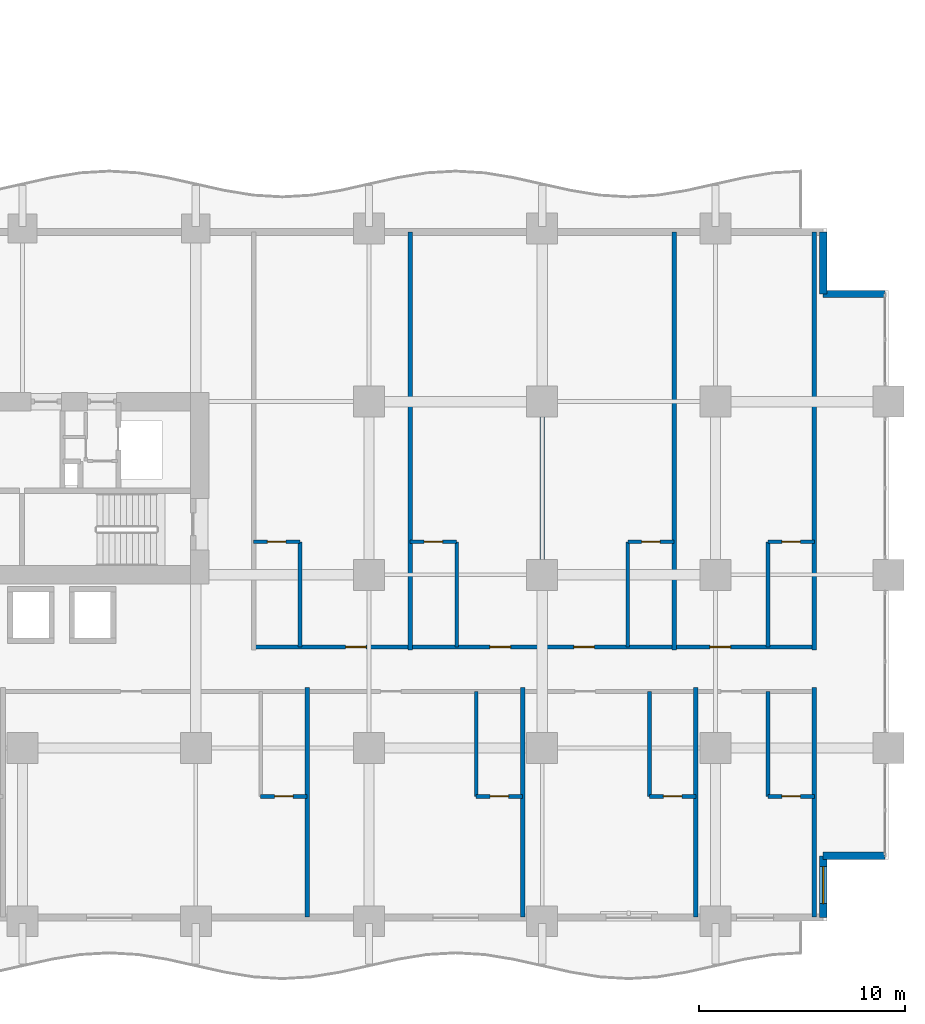
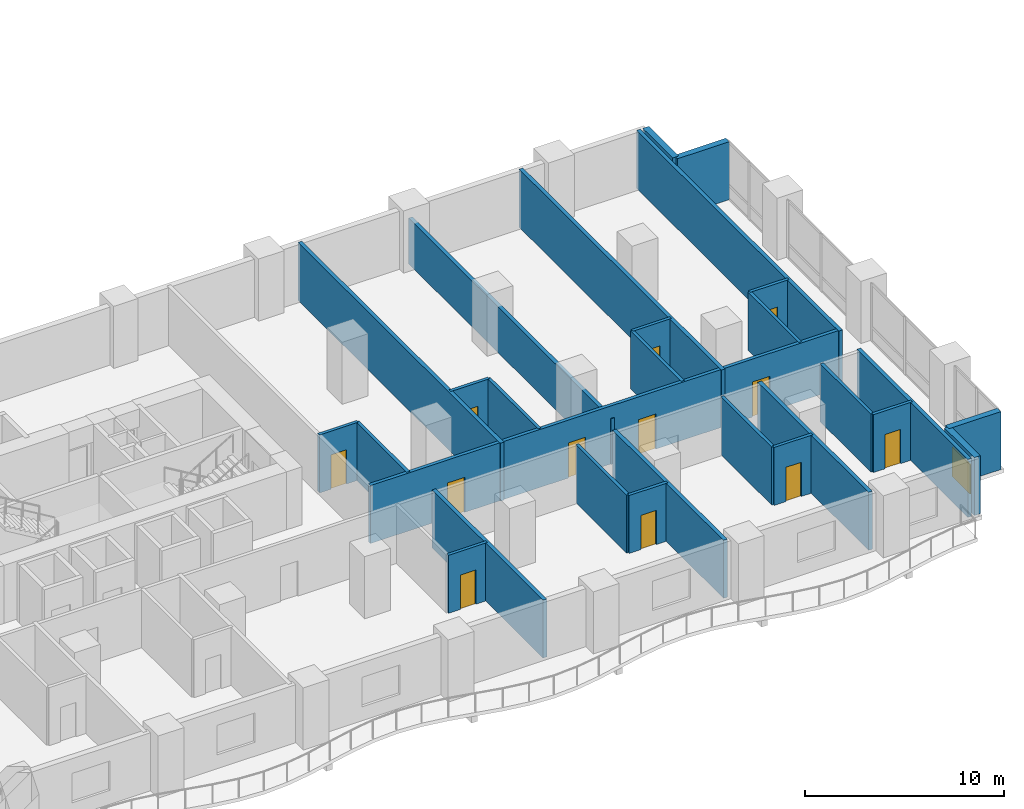
# One storey, part 19 of 26: 28 walls, 12 doors, 1 window, 13 openings.
"""IFC4 building model written with IfcOpenShell, lengths in metres."""

from ifc_helpers import new_model, si_unit, direction, frame, frame_2d, origin, place, context, subcontext, project, spatial, rectangle, extrude, material, layer, layer_set, type_object, element, fill, save


model = new_model("IFC4")

# Units and contexts
model_context = context("Model", 3, precision=1e-05, world=origin(), true_north=direction((0.0, 1.0)))
body_context = subcontext(model_context, "Body", "Model", "MODEL_VIEW")
ifc_project = project(units=[si_unit("LENGTHUNIT", "METRE"), si_unit("AREAUNIT", "SQUARE_METRE"), si_unit("VOLUMEUNIT", "CUBIC_METRE"), si_unit("PLANEANGLEUNIT", "RADIAN"), si_unit("MASSUNIT", "GRAM", prefix="KILO")], contexts=[model_context])

# Site, building, storey
site_placement = place(None, origin())
site = spatial("IfcSite", under=ifc_project, at=site_placement, CompositionType="ELEMENT")
building_placement = place(site_placement, origin())
building = spatial("IfcBuilding", under=site, at=building_placement, Name="Koriwani Terraces Tower", CompositionType="ELEMENT")
storey_placement = place(building_placement, frame((0.0, 0.0, 39.60009765625)))
storey = spatial("IfcBuildingStorey", under=building, at=storey_placement, Name="L08", CompositionType="ELEMENT", Elevation=39.60009765625)

# Wall, openings, doors
ifc_material_1 = material(Name="Autoclaved Cellular Concrete Blockwork", Category="masonry")
ifc_layer_1 = layer(ifc_material_1, 0.199951171875, Name="Autoclaved Cellular Concrete Blockwork")
ifc_layer_set_1 = layer_set([ifc_layer_1], Name="Autoclaved Cellular Concrete Blockwork")
wall_type_1 = type_object("IfcWallType", Name="WALL_CORRIDOR_200", PredefinedType="PARTITIONING", material=ifc_layer_set_1)
wall_1_placement = place(storey_placement, frame((61.60009765625, 13.300048828125, 0.0), z_axis=(0.0, 0.0, 1.0), x_axis=(1.0, 0.0, 0.0)))
wall_1 = element("IfcWall", 1, at=wall_1_placement, inside=storey, type_object=wall_type_1, Name="L08 Interior Wall WCOR-L08-SE-0", PredefinedType="PARTITIONING", context=body_context, shape_type="SweptSolid", body=[
    extrude(rectangle(XDim=27.199951171875, YDim=0.199951171875, at=frame_2d((13.60009765625, 0.0))), origin(), (0.0, 0.0, 1.0), 3.5498046875),
])
opening_1_placement = place(wall_1_placement, frame((4.465087890625, 0.0, 0.0)))
opening_1 = element("IfcOpeningElement", 2, at=opening_1_placement, cuts=wall_1, Name="Opening D-05", PredefinedType="OPENING", context=body_context, shape_type="SweptSolid", body=[
    extrude(rectangle(XDim=1.0, YDim=2.14990234375, at=frame_2d((0.5, 1.074951171875))), frame((0.0, 0.10986328125, 0.0), z_axis=(0.0, -1.0, 0.0), x_axis=(1.0, 0.0, 0.0)), (0.0, 0.0, 1.0), 0.219970703125),
])
opening_2_placement = place(wall_1_placement, frame((11.465087890625, 0.0, 0.0)))
opening_2 = element("IfcOpeningElement", 3, at=opening_2_placement, cuts=wall_1, Name="Opening D-05", PredefinedType="OPENING", context=body_context, shape_type="SweptSolid", body=[
    extrude(rectangle(XDim=1.0, YDim=2.14990234375, at=frame_2d((0.5, 1.074951171875))), frame((0.0, 0.10986328125, 0.0), z_axis=(0.0, -1.0, 0.0), x_axis=(1.0, 0.0, 0.0)), (0.0, 0.0, 1.0), 0.219970703125),
])
opening_3_placement = place(wall_1_placement, frame((15.534912109375, 0.0, 0.0)))
opening_3 = element("IfcOpeningElement", 4, at=opening_3_placement, cuts=wall_1, Name="Opening D-05", PredefinedType="OPENING", context=body_context, shape_type="SweptSolid", body=[
    extrude(rectangle(XDim=1.0, YDim=2.14990234375, at=frame_2d((0.5, 1.074951171875))), frame((0.0, 0.10986328125, 0.0), z_axis=(0.0, -1.0, 0.0), x_axis=(1.0, 0.0, 0.0)), (0.0, 0.0, 1.0), 0.219970703125),
])
opening_4_placement = place(wall_1_placement, frame((22.135009765625, 0.0, 0.0)))
opening_4 = element("IfcOpeningElement", 5, at=opening_4_placement, cuts=wall_1, Name="Opening D-05", PredefinedType="OPENING", context=body_context, shape_type="SweptSolid", body=[
    extrude(rectangle(XDim=1.0, YDim=2.14990234375, at=frame_2d((0.5, 1.074951171875))), frame((0.0, 0.10986328125, 0.0), z_axis=(0.0, -1.0, 0.0), x_axis=(1.0, 0.0, 0.0)), (0.0, 0.0, 1.0), 0.219970703125),
])
ifc_material_2 = material(Name="Architectural Oak Fire Door", Category="wood")
door_type_1 = type_object("IfcDoorType", Name="DOOR_SUITE_ENTRY_1000X2150", OperationType="NOTDEFINED", PredefinedType="DOOR", material=ifc_material_2)
door_1_placement = place(opening_1_placement, origin())
door_1 = element("IfcDoor", 6, at=door_1_placement, inside=storey, type_object=door_type_1, Name="Luxury Hotel Suite 08SE1 Entrance Door", OperationType="SINGLE_SWING_RIGHT", OverallHeight=2.14990234375, OverallWidth=1.0, PredefinedType="DOOR", context=body_context, shape_type="SweptSolid", body=[
    extrude(rectangle(XDim=1.0, YDim=2.14990234375, at=frame_2d((0.5, 1.074951171875))), frame((0.0, 0.02490234375, 0.0), z_axis=(0.0, -1.0, 0.0), x_axis=(1.0, 0.0, 0.0)), (0.0, 0.0, 1.0), 0.050048828125),
])
fill(opening_1, door_1)
door_2_placement = place(opening_2_placement, origin())
door_2 = element("IfcDoor", 7, at=door_2_placement, inside=storey, type_object=door_type_1, Name="Luxury Hotel Suite 08SE2 Entrance Door", OperationType="SINGLE_SWING_RIGHT", OverallHeight=2.14990234375, OverallWidth=1.0, PredefinedType="DOOR", context=body_context, shape_type="SweptSolid", body=[
    extrude(rectangle(XDim=1.0, YDim=2.14990234375, at=frame_2d((0.5, 1.074951171875))), frame((0.0, 0.02490234375, 0.0), z_axis=(0.0, -1.0, 0.0), x_axis=(1.0, 0.0, 0.0)), (0.0, 0.0, 1.0), 0.050048828125),
])
fill(opening_2, door_2)
door_3_placement = place(opening_3_placement, origin())
door_3 = element("IfcDoor", 8, at=door_3_placement, inside=storey, type_object=door_type_1, Name="Luxury Hotel Suite 08SE3 Entrance Door", OperationType="SINGLE_SWING_RIGHT", OverallHeight=2.14990234375, OverallWidth=1.0, PredefinedType="DOOR", context=body_context, shape_type="SweptSolid", body=[
    extrude(rectangle(XDim=1.0, YDim=2.14990234375, at=frame_2d((0.5, 1.074951171875))), frame((0.0, 0.02490234375, 0.0), z_axis=(0.0, -1.0, 0.0), x_axis=(1.0, 0.0, 0.0)), (0.0, 0.0, 1.0), 0.050048828125),
])
fill(opening_3, door_3)
door_4_placement = place(opening_4_placement, origin())
door_4 = element("IfcDoor", 9, at=door_4_placement, inside=storey, type_object=door_type_1, Name="Luxury Hotel Suite 08SE4 Entrance Door", OperationType="SINGLE_SWING_RIGHT", OverallHeight=2.14990234375, OverallWidth=1.0, PredefinedType="DOOR", context=body_context, shape_type="SweptSolid", body=[
    extrude(rectangle(XDim=1.0, YDim=2.14990234375, at=frame_2d((0.5, 1.074951171875))), frame((0.0, 0.02490234375, 0.0), z_axis=(0.0, -1.0, 0.0), x_axis=(1.0, 0.0, 0.0)), (0.0, 0.0, 1.0), 0.050048828125),
])
fill(opening_4, door_4)

# Walls
ifc_layer_2 = layer(ifc_material_1, 0.219970703125, Name="Autoclaved Cellular Concrete Blockwork")
ifc_layer_set_2 = layer_set([ifc_layer_2], Name="Autoclaved Cellular Concrete Blockwork")
wall_type_2 = type_object("IfcWallType", Name="WALL_DEMISING_220", PredefinedType="PARTITIONING", material=ifc_layer_set_2)
for number, where, z_axis, x_axis, name in (
    (10, (64.199951171875, 0.199951171875, 0.0), (0.0, 0.0, 1.0), (0.0, 1.0, 0.0), "L08 Interior Wall WDEM-L08-SW-5"),
    (11, (74.64990234375, 0.199951171875, 0.0), (0.0, 0.0, 1.0), (0.0, 1.0, 0.0), "L08 Interior Wall WDEM-L08-SW-6"),
    (12, (83.050048828125, 0.199951171875, 0.0), (0.0, 0.0, 1.0), (0.0, 1.0, 0.0), "L08 Interior Wall WDEM-L08-SW-7"),
    (13, (88.800048828125, 0.199951171875, 0.0), (0.0, 0.0, 1.0), (0.0, 1.0, 0.0), "L08 Interior Wall WDEME-L08-SW"),
):
    element("IfcWall", number, at=place(storey_placement, frame(where, z_axis=z_axis, x_axis=x_axis)), inside=storey, type_object=wall_type_2, Name=name, PredefinedType="PARTITIONING", context=body_context, shape_type="SweptSolid", body=[
        extrude(rectangle(XDim=11.130126953125, YDim=0.219970703125, at=frame_2d((5.56494140625, 0.0))), origin(), (0.0, 0.0, 1.0), 3.5498046875),
    ])
wall_2_placement = place(storey_placement, frame((69.199951171875, 13.14990234375, 0.0), z_axis=(0.0, 0.0, 1.0), x_axis=(0.0, 1.0, 0.0)))
element("IfcWall", 14, at=wall_2_placement, inside=storey, type_object=wall_type_2, Name="L08 Interior Wall WDEM-L08-SE-1", PredefinedType="PARTITIONING", context=body_context, shape_type="SweptSolid", body=[
    extrude(rectangle(XDim=20.280029296875, YDim=0.219970703125, at=frame_2d((10.14013671875, 0.0))), origin(), (0.0, 0.0, 1.0), 3.5498046875),
])
wall_3_placement = place(storey_placement, frame((75.60009765625, 13.14990234375, 0.0), z_axis=(0.0, 0.0, 1.0), x_axis=(0.0, 1.0, 0.0)))
element("IfcWall", 15, at=wall_3_placement, inside=storey, type_object=wall_type_2, Name="L08 Interior Wall WDEM-L08-SE-2", PredefinedType="PARTITIONING", context=body_context, shape_type="SweptSolid", body=[
    extrude(rectangle(XDim=20.280029296875, YDim=0.219970703125, at=frame_2d((10.14013671875, 0.0))), origin(), (0.0, 0.0, 1.0), 2.7998046875),
])
for number, where, z_axis, x_axis, name in (
    (16, (82.0, 13.14990234375, 0.0), (0.0, 0.0, 1.0), (0.0, 1.0, 0.0), "L08 Interior Wall WDEM-L08-SE-3"),
    (17, (88.800048828125, 13.14990234375, 0.0), (0.0, 0.0, 1.0), (0.0, 1.0, 0.0), "L08 Interior Wall WDEME-L08-SE"),
):
    element("IfcWall", number, at=place(storey_placement, frame(where, z_axis=z_axis, x_axis=x_axis)), inside=storey, type_object=wall_type_2, Name=name, PredefinedType="PARTITIONING", context=body_context, shape_type="SweptSolid", body=[
        extrude(rectangle(XDim=20.280029296875, YDim=0.219970703125, at=frame_2d((10.14013671875, 0.0))), origin(), (0.0, 0.0, 1.0), 3.5498046875),
    ])
ifc_material_3 = material(Name="Concrete C50/60", Category="concrete")
ifc_layer_3 = layer(ifc_material_3, 0.35009765625, Name="Concrete C50/60")
ifc_layer_set_3 = layer_set([ifc_layer_3], Name="Concrete C50/60")
wall_type_3 = type_object("IfcWallType", Name="WALL_EXT_BRUTALIST_350", PredefinedType="STANDARD", material=ifc_layer_set_3)
for number, where, z_axis, x_axis, name in (
    (18, (89.22509765625, 33.425048828125, 0.0), (0.0, 0.0, 1.0), (0.0, -1.0, 0.0), "L08 Fair-Faced Brutalist Exterior Wall (N10)"),
    (19, (89.22509765625, 30.425048828125, 0.0), (0.0, 0.0, 1.0), (1.0, 0.0, 0.0), "L08 Fair-Faced Brutalist Exterior Wall (N11)"),
    (20, (92.22509765625, 3.175048828125, 0.0), (0.0, 0.0, 1.0), (-1.0, 0.0, 0.0), "L08 Fair-Faced Brutalist Exterior Wall (N13)"),
):
    element("IfcWall", number, at=place(storey_placement, frame(where, z_axis=z_axis, x_axis=x_axis)), inside=storey, type_object=wall_type_3, Name=name, PredefinedType="STANDARD", context=body_context, shape_type="SweptSolid", body=[
        extrude(rectangle(XDim=3.0, YDim=0.35009765625, at=frame_2d((1.5, 0.0))), origin(), (0.0, 0.0, 1.0), 3.5498046875),
    ])

# Wall, opening, window
wall_4_placement = place(storey_placement, frame((89.22509765625, 3.175048828125, 0.0), z_axis=(0.0, 0.0, 1.0), x_axis=(0.0, -1.0, 0.0)))
wall_4 = element("IfcWall", 21, at=wall_4_placement, inside=storey, type_object=wall_type_3, Name="L08 Fair-Faced Brutalist Exterior Wall (N14)", PredefinedType="STANDARD", context=body_context, shape_type="SweptSolid", body=[
    extrude(rectangle(XDim=3.0, YDim=0.35009765625, at=frame_2d((1.5, 0.0))), origin(), (0.0, 0.0, 1.0), 3.5498046875),
])
opening_5_placement = place(wall_4_placement, frame((0.5224609375, 0.0, 0.85009765625)))
opening_5 = element("IfcOpeningElement", 22, at=opening_5_placement, cuts=wall_4, Name="Opening W-04", PredefinedType="OPENING", context=body_context, shape_type="SweptSolid", body=[
    extrude(rectangle(XDim=1.800048828125, YDim=1.800048828125, at=frame_2d((0.89990234375, 0.89990234375))), frame((0.0, 0.18505859375, 0.0), z_axis=(0.0, -1.0, 0.0), x_axis=(1.0, 0.0, 0.0)), (0.0, 0.0, 1.0), 0.3701171875),
])
ifc_material_4 = material(Name="Tempered Laminated Low-E Glass", Category="glass")
window_type = type_object("IfcWindowType", Name="WIN_RES_BED_1800X1800", PartitioningType="DOUBLE_PANEL_VERTICAL", PredefinedType="WINDOW", material=ifc_material_4)
window_placement = place(opening_5_placement, origin())
window = element("IfcWindow", 23, at=window_placement, inside=storey, type_object=window_type, Name="L08 Exterior Window (N14-R70)", OverallHeight=1.800048828125, OverallWidth=1.800048828125, PartitioningType="SINGLE_PANEL", PredefinedType="WINDOW", context=body_context, shape_type="SweptSolid", body=[
    extrude(rectangle(XDim=1.800048828125, YDim=1.800048828125, at=frame_2d((0.89990234375, 0.89990234375))), frame((0.0, 0.030029296875, 0.0), z_axis=(0.0, -1.0, 0.0), x_axis=(1.0, 0.0, 0.0)), (0.0, 0.0, 1.0), 0.06005859375),
])
fill(opening_5, window)

# Wall, opening, door
ifc_material_5 = material(Name="Fire-Rated Acoustic Gypsum Partition", Category="masonry")
ifc_layer_4 = layer(ifc_material_5, 0.179931640625, Name="Fire-Rated Acoustic Gypsum Partition")
ifc_layer_set_4 = layer_set([ifc_layer_4], Name="Fire-Rated Acoustic Gypsum Partition")
wall_type_4 = type_object("IfcWallType", Name="WALL_PLUMBING_180", PredefinedType="PLUMBINGWALL", material=ifc_layer_set_4)
wall_5_placement = place(storey_placement, frame((61.949951171875, 6.050048828125, 0.0), z_axis=(0.0, 0.0, 1.0), x_axis=(1.0, 0.0, 0.0)))
wall_5 = element("IfcWall", 24, at=wall_5_placement, inside=storey, type_object=wall_type_4, Name="L08 Interior Wall WBTH1-L08-SW-4", PredefinedType="PLUMBINGWALL", context=body_context, shape_type="SweptSolid", body=[
    extrude(rectangle(XDim=2.25, YDim=0.179931640625, at=frame_2d((1.125, 0.0))), origin(), (0.0, 0.0, 1.0), 3.5498046875),
])
opening_6_placement = place(wall_5_placement, frame((0.675048828125, 0.0, 0.0)))
opening_6 = element("IfcOpeningElement", 25, at=opening_6_placement, cuts=wall_5, Name="Opening D-07", PredefinedType="OPENING", context=body_context, shape_type="SweptSolid", body=[
    extrude(rectangle(XDim=0.89990234375, YDim=2.10009765625, at=frame_2d((0.449951171875, 1.050048828125))), frame((0.0, 0.10009765625, 0.0), z_axis=(0.0, -1.0, 0.0), x_axis=(1.0, 0.0, 0.0)), (0.0, 0.0, 1.0), 0.199951171875),
])
door_type_2 = type_object("IfcDoorType", Name="DOOR_BATH_INT_900X2100", OperationType="NOTDEFINED", PredefinedType="DOOR", material=ifc_material_2)
door_5_placement = place(opening_6_placement, origin())
door_5 = element("IfcDoor", 26, at=door_5_placement, inside=storey, type_object=door_type_2, Name="En-Suite Bathroom 08SW5 Door", OperationType="SINGLE_SWING_LEFT", OverallHeight=2.10009765625, OverallWidth=0.89990234375, PredefinedType="DOOR", context=body_context, shape_type="SweptSolid", body=[
    extrude(rectangle(XDim=0.89990234375, YDim=2.10009765625, at=frame_2d((0.449951171875, 1.050048828125))), frame((0.0, 0.02490234375, 0.0), z_axis=(0.0, -1.0, 0.0), x_axis=(1.0, 0.0, 0.0)), (0.0, 0.0, 1.0), 0.050048828125),
])
fill(opening_6, door_5)

wall_6_placement = place(storey_placement, frame((72.39990234375, 6.050048828125, 0.0), z_axis=(0.0, 0.0, 1.0), x_axis=(1.0, 0.0, 0.0)))
wall_6 = element("IfcWall", 27, at=wall_6_placement, inside=storey, type_object=wall_type_4, Name="L08 Interior Wall WBTH1-L08-SW-5", PredefinedType="PLUMBINGWALL", context=body_context, shape_type="SweptSolid", body=[
    extrude(rectangle(XDim=2.25, YDim=0.179931640625, at=frame_2d((1.125, 0.0))), origin(), (0.0, 0.0, 1.0), 3.5498046875),
])
opening_7_placement = place(wall_6_placement, frame((0.675048828125, 0.0, 0.0)))
opening_7 = element("IfcOpeningElement", 28, at=opening_7_placement, cuts=wall_6, Name="Opening D-07", PredefinedType="OPENING", context=body_context, shape_type="SweptSolid", body=[
    extrude(rectangle(XDim=0.89990234375, YDim=2.10009765625, at=frame_2d((0.449951171875, 1.050048828125))), frame((0.0, 0.10009765625, 0.0), z_axis=(0.0, -1.0, 0.0), x_axis=(1.0, 0.0, 0.0)), (0.0, 0.0, 1.0), 0.199951171875),
])
door_6_placement = place(opening_7_placement, origin())
door_6 = element("IfcDoor", 29, at=door_6_placement, inside=storey, type_object=door_type_2, Name="En-Suite Bathroom 08SW6 Door", OperationType="SINGLE_SWING_LEFT", OverallHeight=2.10009765625, OverallWidth=0.89990234375, PredefinedType="DOOR", context=body_context, shape_type="SweptSolid", body=[
    extrude(rectangle(XDim=0.89990234375, YDim=2.10009765625, at=frame_2d((0.449951171875, 1.050048828125))), frame((0.0, 0.02490234375, 0.0), z_axis=(0.0, -1.0, 0.0), x_axis=(1.0, 0.0, 0.0)), (0.0, 0.0, 1.0), 0.050048828125),
])
fill(opening_7, door_6)

# Wall
wall_7_placement = place(storey_placement, frame((72.39990234375, 6.050048828125, 0.0), z_axis=(0.0, 0.0, 1.0), x_axis=(0.0, 1.0, 0.0)))
element("IfcWall", 30, at=wall_7_placement, inside=storey, type_object=wall_type_4, Name="L08 Interior Wall WBTH2-L08-SW-5", PredefinedType="PLUMBINGWALL", context=body_context, shape_type="SweptSolid", body=[
    extrude(rectangle(XDim=5.099853515625, YDim=0.179931640625, at=frame_2d((2.5498046875, 0.0))), origin(), (0.0, 0.0, 1.0), 3.5498046875),
])

# Wall, opening, door
wall_8_placement = place(storey_placement, frame((80.800048828125, 6.050048828125, 0.0), z_axis=(0.0, 0.0, 1.0), x_axis=(1.0, 0.0, 0.0)))
wall_8 = element("IfcWall", 31, at=wall_8_placement, inside=storey, type_object=wall_type_4, Name="L08 Interior Wall WBTH1-L08-SW-6", PredefinedType="PLUMBINGWALL", context=body_context, shape_type="SweptSolid", body=[
    extrude(rectangle(XDim=2.25, YDim=0.179931640625, at=frame_2d((1.125, 0.0))), origin(), (0.0, 0.0, 1.0), 3.5498046875),
])
opening_8_placement = place(wall_8_placement, frame((0.675048828125, 0.0, 0.0)))
opening_8 = element("IfcOpeningElement", 32, at=opening_8_placement, cuts=wall_8, Name="Opening D-07", PredefinedType="OPENING", context=body_context, shape_type="SweptSolid", body=[
    extrude(rectangle(XDim=0.89990234375, YDim=2.10009765625, at=frame_2d((0.449951171875, 1.050048828125))), frame((0.0, 0.10009765625, 0.0), z_axis=(0.0, -1.0, 0.0), x_axis=(1.0, 0.0, 0.0)), (0.0, 0.0, 1.0), 0.199951171875),
])
door_7_placement = place(opening_8_placement, origin())
door_7 = element("IfcDoor", 33, at=door_7_placement, inside=storey, type_object=door_type_2, Name="En-Suite Bathroom 08SW7 Door", OperationType="SINGLE_SWING_LEFT", OverallHeight=2.10009765625, OverallWidth=0.89990234375, PredefinedType="DOOR", context=body_context, shape_type="SweptSolid", body=[
    extrude(rectangle(XDim=0.89990234375, YDim=2.10009765625, at=frame_2d((0.449951171875, 1.050048828125))), frame((0.0, 0.02490234375, 0.0), z_axis=(0.0, -1.0, 0.0), x_axis=(1.0, 0.0, 0.0)), (0.0, 0.0, 1.0), 0.050048828125),
])
fill(opening_8, door_7)

# Wall
wall_9_placement = place(storey_placement, frame((80.800048828125, 6.050048828125, 0.0), z_axis=(0.0, 0.0, 1.0), x_axis=(0.0, 1.0, 0.0)))
element("IfcWall", 34, at=wall_9_placement, inside=storey, type_object=wall_type_4, Name="L08 Interior Wall WBTH2-L08-SW-6", PredefinedType="PLUMBINGWALL", context=body_context, shape_type="SweptSolid", body=[
    extrude(rectangle(XDim=5.099853515625, YDim=0.179931640625, at=frame_2d((2.5498046875, 0.0))), origin(), (0.0, 0.0, 1.0), 3.5498046875),
])

# Wall, opening, door
wall_10_placement = place(storey_placement, frame((86.550048828125, 6.050048828125, 0.0), z_axis=(0.0, 0.0, 1.0), x_axis=(1.0, 0.0, 0.0)))
wall_10 = element("IfcWall", 35, at=wall_10_placement, inside=storey, type_object=wall_type_4, Name="L08 Interior Wall WBTH1-L08-SW-7", PredefinedType="PLUMBINGWALL", context=body_context, shape_type="SweptSolid", body=[
    extrude(rectangle(XDim=2.25, YDim=0.179931640625, at=frame_2d((1.125, 0.0))), origin(), (0.0, 0.0, 1.0), 3.5498046875),
])
opening_9_placement = place(wall_10_placement, frame((0.675048828125, 0.0, 0.0)))
opening_9 = element("IfcOpeningElement", 36, at=opening_9_placement, cuts=wall_10, Name="Opening D-07", PredefinedType="OPENING", context=body_context, shape_type="SweptSolid", body=[
    extrude(rectangle(XDim=0.89990234375, YDim=2.10009765625, at=frame_2d((0.449951171875, 1.050048828125))), frame((0.0, 0.10009765625, 0.0), z_axis=(0.0, -1.0, 0.0), x_axis=(1.0, 0.0, 0.0)), (0.0, 0.0, 1.0), 0.199951171875),
])
door_8_placement = place(opening_9_placement, origin())
door_8 = element("IfcDoor", 37, at=door_8_placement, inside=storey, type_object=door_type_2, Name="En-Suite Bathroom 08SW8 Door", OperationType="SINGLE_SWING_LEFT", OverallHeight=2.10009765625, OverallWidth=0.89990234375, PredefinedType="DOOR", context=body_context, shape_type="SweptSolid", body=[
    extrude(rectangle(XDim=0.89990234375, YDim=2.10009765625, at=frame_2d((0.449951171875, 1.050048828125))), frame((0.0, 0.02490234375, 0.0), z_axis=(0.0, -1.0, 0.0), x_axis=(1.0, 0.0, 0.0)), (0.0, 0.0, 1.0), 0.050048828125),
])
fill(opening_9, door_8)

# Wall
wall_11_placement = place(storey_placement, frame((86.550048828125, 6.050048828125, 0.0), z_axis=(0.0, 0.0, 1.0), x_axis=(0.0, 1.0, 0.0)))
element("IfcWall", 38, at=wall_11_placement, inside=storey, type_object=wall_type_4, Name="L08 Interior Wall WBTH2-L08-SW-7", PredefinedType="PLUMBINGWALL", context=body_context, shape_type="SweptSolid", body=[
    extrude(rectangle(XDim=5.099853515625, YDim=0.179931640625, at=frame_2d((2.5498046875, 0.0))), origin(), (0.0, 0.0, 1.0), 3.5498046875),
])

# Wall, opening, door
wall_12_placement = place(storey_placement, frame((61.60009765625, 18.39990234375, 0.0), z_axis=(0.0, 0.0, 1.0), x_axis=(1.0, 0.0, 0.0)))
wall_12 = element("IfcWall", 39, at=wall_12_placement, inside=storey, type_object=wall_type_4, Name="L08 Interior Wall WBTH1-L08-SE-0", PredefinedType="PLUMBINGWALL", context=body_context, shape_type="SweptSolid", body=[
    extrude(rectangle(XDim=2.25, YDim=0.179931640625, at=frame_2d((1.125, 0.0))), origin(), (0.0, 0.0, 1.0), 3.5498046875),
])
opening_10_placement = place(wall_12_placement, frame((0.675048828125, 0.0, 0.0)))
opening_10 = element("IfcOpeningElement", 40, at=opening_10_placement, cuts=wall_12, Name="Opening D-07", PredefinedType="OPENING", context=body_context, shape_type="SweptSolid", body=[
    extrude(rectangle(XDim=0.89990234375, YDim=2.10009765625, at=frame_2d((0.449951171875, 1.050048828125))), frame((0.0, 0.10009765625, 0.0), z_axis=(0.0, -1.0, 0.0), x_axis=(1.0, 0.0, 0.0)), (0.0, 0.0, 1.0), 0.199951171875),
])
door_9_placement = place(opening_10_placement, origin())
door_9 = element("IfcDoor", 41, at=door_9_placement, inside=storey, type_object=door_type_2, Name="En-Suite Bathroom 08SE1 Door", OperationType="SINGLE_SWING_LEFT", OverallHeight=2.10009765625, OverallWidth=0.89990234375, PredefinedType="DOOR", context=body_context, shape_type="SweptSolid", body=[
    extrude(rectangle(XDim=0.89990234375, YDim=2.10009765625, at=frame_2d((0.449951171875, 1.050048828125))), frame((0.0, 0.02490234375, 0.0), z_axis=(0.0, -1.0, 0.0), x_axis=(1.0, 0.0, 0.0)), (0.0, 0.0, 1.0), 0.050048828125),
])
fill(opening_10, door_9)

# Wall
wall_13_placement = place(storey_placement, frame((63.85009765625, 13.300048828125, 0.0), z_axis=(0.0, 0.0, 1.0), x_axis=(0.0, 1.0, 0.0)))
element("IfcWall", 42, at=wall_13_placement, inside=storey, type_object=wall_type_4, Name="L08 Interior Wall WBTH2-L08-SE-0", PredefinedType="PLUMBINGWALL", context=body_context, shape_type="SweptSolid", body=[
    extrude(rectangle(XDim=5.099853515625, YDim=0.179931640625, at=frame_2d((2.5498046875, 0.0))), origin(), (0.0, 0.0, 1.0), 3.5498046875),
])

# Wall, opening, door
wall_14_placement = place(storey_placement, frame((69.199951171875, 18.39990234375, 0.0), z_axis=(0.0, 0.0, 1.0), x_axis=(1.0, 0.0, 0.0)))
wall_14 = element("IfcWall", 43, at=wall_14_placement, inside=storey, type_object=wall_type_4, Name="L08 Interior Wall WBTH1-L08-SE-1", PredefinedType="PLUMBINGWALL", context=body_context, shape_type="SweptSolid", body=[
    extrude(rectangle(XDim=2.25, YDim=0.179931640625, at=frame_2d((1.125, 0.0))), origin(), (0.0, 0.0, 1.0), 3.5498046875),
])
opening_11_placement = place(wall_14_placement, frame((0.675048828125, 0.0, 0.0)))
opening_11 = element("IfcOpeningElement", 44, at=opening_11_placement, cuts=wall_14, Name="Opening D-07", PredefinedType="OPENING", context=body_context, shape_type="SweptSolid", body=[
    extrude(rectangle(XDim=0.89990234375, YDim=2.10009765625, at=frame_2d((0.449951171875, 1.050048828125))), frame((0.0, 0.10009765625, 0.0), z_axis=(0.0, -1.0, 0.0), x_axis=(1.0, 0.0, 0.0)), (0.0, 0.0, 1.0), 0.199951171875),
])
door_10_placement = place(opening_11_placement, origin())
door_10 = element("IfcDoor", 45, at=door_10_placement, inside=storey, type_object=door_type_2, Name="En-Suite Bathroom 08SE2 Door", OperationType="SINGLE_SWING_LEFT", OverallHeight=2.10009765625, OverallWidth=0.89990234375, PredefinedType="DOOR", context=body_context, shape_type="SweptSolid", body=[
    extrude(rectangle(XDim=0.89990234375, YDim=2.10009765625, at=frame_2d((0.449951171875, 1.050048828125))), frame((0.0, 0.02490234375, 0.0), z_axis=(0.0, -1.0, 0.0), x_axis=(1.0, 0.0, 0.0)), (0.0, 0.0, 1.0), 0.050048828125),
])
fill(opening_11, door_10)

# Wall
wall_15_placement = place(storey_placement, frame((71.449951171875, 13.300048828125, 0.0), z_axis=(0.0, 0.0, 1.0), x_axis=(0.0, 1.0, 0.0)))
element("IfcWall", 46, at=wall_15_placement, inside=storey, type_object=wall_type_4, Name="L08 Interior Wall WBTH2-L08-SE-1", PredefinedType="PLUMBINGWALL", context=body_context, shape_type="SweptSolid", body=[
    extrude(rectangle(XDim=5.099853515625, YDim=0.179931640625, at=frame_2d((2.5498046875, 0.0))), origin(), (0.0, 0.0, 1.0), 3.5498046875),
])

# Wall, opening, door
wall_16_placement = place(storey_placement, frame((79.75, 18.39990234375, 0.0), z_axis=(0.0, 0.0, 1.0), x_axis=(1.0, 0.0, 0.0)))
wall_16 = element("IfcWall", 47, at=wall_16_placement, inside=storey, type_object=wall_type_4, Name="L08 Interior Wall WBTH1-L08-SE-2", PredefinedType="PLUMBINGWALL", context=body_context, shape_type="SweptSolid", body=[
    extrude(rectangle(XDim=2.25, YDim=0.179931640625, at=frame_2d((1.125, 0.0))), origin(), (0.0, 0.0, 1.0), 3.5498046875),
])
opening_12_placement = place(wall_16_placement, frame((0.675048828125, 0.0, 0.0)))
opening_12 = element("IfcOpeningElement", 48, at=opening_12_placement, cuts=wall_16, Name="Opening D-07", PredefinedType="OPENING", context=body_context, shape_type="SweptSolid", body=[
    extrude(rectangle(XDim=0.89990234375, YDim=2.10009765625, at=frame_2d((0.449951171875, 1.050048828125))), frame((0.0, 0.10009765625, 0.0), z_axis=(0.0, -1.0, 0.0), x_axis=(1.0, 0.0, 0.0)), (0.0, 0.0, 1.0), 0.199951171875),
])
door_11_placement = place(opening_12_placement, origin())
door_11 = element("IfcDoor", 49, at=door_11_placement, inside=storey, type_object=door_type_2, Name="En-Suite Bathroom 08SE3 Door", OperationType="SINGLE_SWING_LEFT", OverallHeight=2.10009765625, OverallWidth=0.89990234375, PredefinedType="DOOR", context=body_context, shape_type="SweptSolid", body=[
    extrude(rectangle(XDim=0.89990234375, YDim=2.10009765625, at=frame_2d((0.449951171875, 1.050048828125))), frame((0.0, 0.02490234375, 0.0), z_axis=(0.0, -1.0, 0.0), x_axis=(1.0, 0.0, 0.0)), (0.0, 0.0, 1.0), 0.050048828125),
])
fill(opening_12, door_11)

# Wall
wall_17_placement = place(storey_placement, frame((79.75, 13.300048828125, 0.0), z_axis=(0.0, 0.0, 1.0), x_axis=(0.0, 1.0, 0.0)))
element("IfcWall", 50, at=wall_17_placement, inside=storey, type_object=wall_type_4, Name="L08 Interior Wall WBTH2-L08-SE-2", PredefinedType="PLUMBINGWALL", context=body_context, shape_type="SweptSolid", body=[
    extrude(rectangle(XDim=5.099853515625, YDim=0.179931640625, at=frame_2d((2.5498046875, 0.0))), origin(), (0.0, 0.0, 1.0), 3.5498046875),
])

# Wall, opening, door
wall_18_placement = place(storey_placement, frame((86.550048828125, 18.39990234375, 0.0), z_axis=(0.0, 0.0, 1.0), x_axis=(1.0, 0.0, 0.0)))
wall_18 = element("IfcWall", 51, at=wall_18_placement, inside=storey, type_object=wall_type_4, Name="L08 Interior Wall WBTH1-L08-SE-3", PredefinedType="PLUMBINGWALL", context=body_context, shape_type="SweptSolid", body=[
    extrude(rectangle(XDim=2.25, YDim=0.179931640625, at=frame_2d((1.125, 0.0))), origin(), (0.0, 0.0, 1.0), 3.5498046875),
])
opening_13_placement = place(wall_18_placement, frame((0.675048828125, 0.0, 0.0)))
opening_13 = element("IfcOpeningElement", 52, at=opening_13_placement, cuts=wall_18, Name="Opening D-07", PredefinedType="OPENING", context=body_context, shape_type="SweptSolid", body=[
    extrude(rectangle(XDim=0.89990234375, YDim=2.10009765625, at=frame_2d((0.449951171875, 1.050048828125))), frame((0.0, 0.10009765625, 0.0), z_axis=(0.0, -1.0, 0.0), x_axis=(1.0, 0.0, 0.0)), (0.0, 0.0, 1.0), 0.199951171875),
])
door_12_placement = place(opening_13_placement, origin())
door_12 = element("IfcDoor", 53, at=door_12_placement, inside=storey, type_object=door_type_2, Name="En-Suite Bathroom 08SE4 Door", OperationType="SINGLE_SWING_LEFT", OverallHeight=2.10009765625, OverallWidth=0.89990234375, PredefinedType="DOOR", context=body_context, shape_type="SweptSolid", body=[
    extrude(rectangle(XDim=0.89990234375, YDim=2.10009765625, at=frame_2d((0.449951171875, 1.050048828125))), frame((0.0, 0.02490234375, 0.0), z_axis=(0.0, -1.0, 0.0), x_axis=(1.0, 0.0, 0.0)), (0.0, 0.0, 1.0), 0.050048828125),
])
fill(opening_13, door_12)

# Wall
wall_19_placement = place(storey_placement, frame((86.550048828125, 13.300048828125, 0.0), z_axis=(0.0, 0.0, 1.0), x_axis=(0.0, 1.0, 0.0)))
element("IfcWall", 54, at=wall_19_placement, inside=storey, type_object=wall_type_4, Name="L08 Interior Wall WBTH2-L08-SE-3", PredefinedType="PLUMBINGWALL", context=body_context, shape_type="SweptSolid", body=[
    extrude(rectangle(XDim=5.099853515625, YDim=0.179931640625, at=frame_2d((2.5498046875, 0.0))), origin(), (0.0, 0.0, 1.0), 3.5498046875),
])

save(model, "model.ifc")
